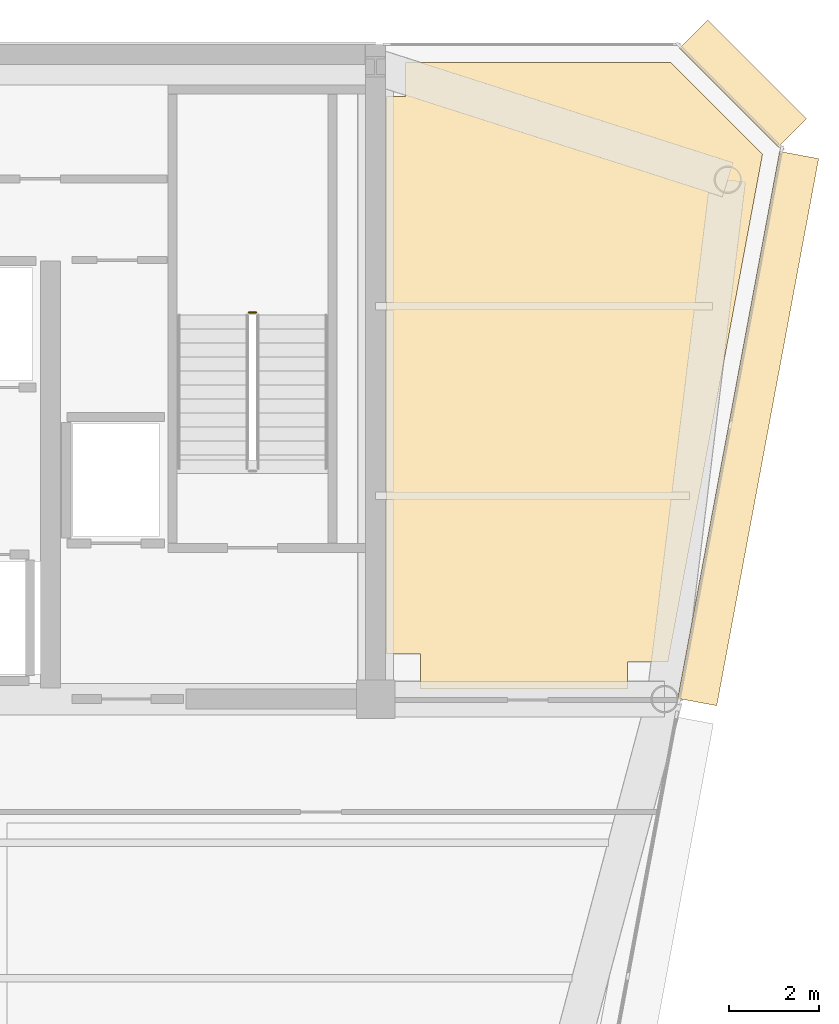
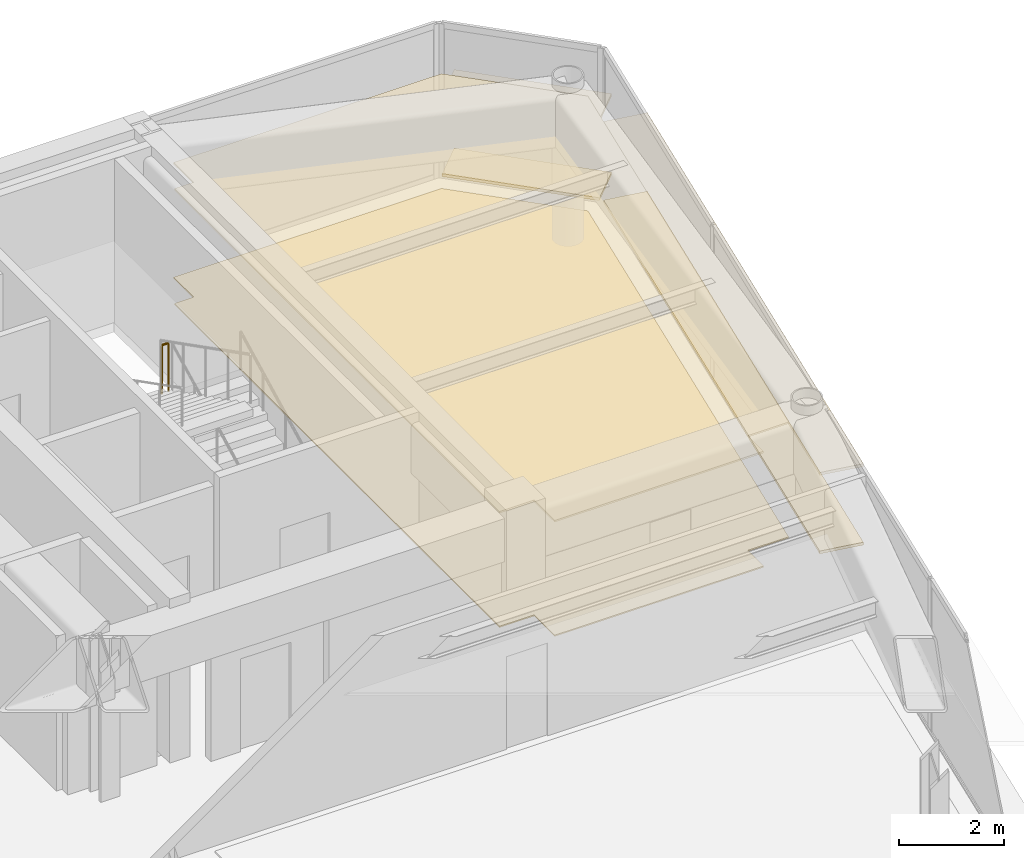
# One storey, part 18 of 18: 6 coverings, 1 railing.
"""IFC4 building model written with IfcOpenShell, lengths in metres."""

from ifc_helpers import new_model, si_unit, direction, frame, origin, origin_2d, place, context, subcontext, project, spatial, polyline, rectangle, circle, outline, extrude, source, transform, mapped, material, layer, layer_set, type_object, element, save


model = new_model("IFC4")

# Units and contexts
model_context = context("Model", 3, precision=1e-05, world=origin(), true_north=direction((0.0, 1.0)))
body_context = subcontext(model_context, "Body", "Model", "MODEL_VIEW")
ifc_project = project(units=[si_unit("LENGTHUNIT", "METRE"), si_unit("AREAUNIT", "SQUARE_METRE"), si_unit("VOLUMEUNIT", "CUBIC_METRE"), si_unit("PLANEANGLEUNIT", "RADIAN"), si_unit("MASSUNIT", "GRAM", prefix="KILO")], contexts=[model_context])

# Site, building, storey
site_placement = place(None, origin())
site = spatial("IfcSite", under=ifc_project, at=site_placement, CompositionType="ELEMENT")
building_placement = place(site_placement, origin())
building = spatial("IfcBuilding", under=site, at=building_placement, Name="Vaeldorn Concourse Tower", CompositionType="ELEMENT")
storey_placement = place(building_placement, frame((0.0, 0.0, 265.0)))
storey = spatial("IfcBuildingStorey", under=building, at=storey_placement, Name="L68", CompositionType="ELEMENT", Elevation=265.0)

# Coverings
ifc_material_1 = material(Name="Acoustic Mineral Fibre Board", Category="gypsum")
ifc_layer_1 = layer(ifc_material_1, 0.0400390625)
ifc_layer_set_1 = layer_set([ifc_layer_1], Name="Acoustic Mineral Fibre Board")
covering_type_1 = type_object("IfcCoveringType", Name="COV-CEIL-ACOUSTIC", PredefinedType="CEILING", material=ifc_layer_set_1)
covering_1_placement = place(storey_placement, frame((0.0, 0.0, 2.64990234375)))
element("IfcCovering", 1, at=covering_1_placement, inside=storey, type_object=covering_type_1, Name="Suspended Acoustic Ceiling L68-5", PredefinedType="CEILING", context=body_context, shape_type="SweptSolid", body=[
    extrude(outline(polyline([(54.659912109375, 49.840087890625), (54.659912109375, 50.60009765625), (60.5341796875, 50.60009765625), (62.568115234375, 48.566162109375), (60.47412109375, 37.320068359375), (59.580078125, 37.320068359375), (59.580078125, 36.719970703125), (55.0, 36.719970703125), (55.0, 37.5), (54.239990234375, 37.5), (54.239990234375, 49.840087890625), (54.659912109375, 49.840087890625)])), origin(), (0.0, 0.0, 1.0), 0.0400390625),
])
ifc_material_2 = material(Name="Honed Limestone Terrazzo Flooring", Category="masonry")
ifc_layer_2 = layer(ifc_material_2, 0.0400390625)
ifc_layer_set_2 = layer_set([ifc_layer_2], Name="Honed Limestone Terrazzo Flooring")
covering_type_2 = type_object("IfcCoveringType", Name="COV-FLOOR-STONE", PredefinedType="FLOORING", material=ifc_layer_set_2)
covering_2_placement = place(storey_placement, origin())
element("IfcCovering", 2, at=covering_2_placement, inside=storey, type_object=covering_type_2, Name="Floor Finish Covering L68-5", PredefinedType="FLOORING", context=body_context, shape_type="SweptSolid", body=[
    extrude(outline(polyline([(54.659912109375, 49.840087890625), (54.659912109375, 50.60009765625), (60.5341796875, 50.60009765625), (62.568115234375, 48.566162109375), (60.47412109375, 37.320068359375), (59.580078125, 37.320068359375), (59.580078125, 36.719970703125), (55.0, 36.719970703125), (55.0, 37.5), (54.239990234375, 37.5), (54.239990234375, 49.840087890625), (54.659912109375, 49.840087890625)])), origin(), (0.0, 0.0, 1.0), 0.030029296875),
])

# Railing
ifc_material_3 = material(Name="Anodised Bronze Aluminium", Category="aluminium")
railing_type = type_object("IfcRailingType", Name="RL-STAIR-GUARD", PredefinedType="GUARDRAIL", material=ifc_material_3)
railing_placement = place(storey_placement, frame((51.35009765625, 45.06005859375, 1.89990234375)))
element("IfcRailing", 3, at=railing_placement, inside=storey, type_object=railing_type, Name="L68 ST-2 stair guard 2", PredefinedType="GUARDRAIL", context=body_context, shape_type="SweptSolid", body=[
    extrude(circle(Radius=0.02392578125, at=origin_2d()), frame((0.0, 0.0, 1.1259765625), z_axis=(-1.0, 0.0, 0.0), x_axis=(0.0, -1.0, 0.0)), (0.0, 0.0, 1.0), 0.150146484375),
    extrude(circle(Radius=0.02099609375, at=origin_2d()), origin(), (0.0, 0.0, 1.0), 1.101806640625),
    extrude(circle(Radius=0.02099609375, at=origin_2d()), frame((-0.150146484375, 0.0, 0.0)), (0.0, 0.0, 1.0), 1.101806640625),
])

# Coverings
ifc_layer_3 = layer(ifc_material_3, 0.06494140625)
ifc_layer_set_3 = layer_set([ifc_layer_3], Name="Anodised Bronze Aluminium")
covering_type_3 = type_object("IfcCoveringType", Name="SD-BRONZE-SUNSHADE", PredefinedType="USERDEFINED", material=ifc_layer_set_3)
shared_shape_1 = source(origin(), body_context, "Body", "SweptSolid", [
    extrude(rectangle(XDim=3.0927734375, YDim=0.8798828125, at=origin_2d()), origin(), (0.0, 0.0, 1.0), 0.06494140625),
])
for number, where, z_axis, x_axis, name in (
    (4, (62.1328125, 50.1328125, 0.047607421875), (0.0, 0.0, 1.0), (-0.707106781187, 0.707106781187, 0.0), "Horizontal Bronze Sunshade L68-E08.1.1"),
    (5, (62.1328125, 50.1328125, 1.867431640625), (0.0, 0.0, 1.0), (-0.707106781187, 0.707106781187, 0.0), "Horizontal Bronze Sunshade L68-E08.1.2"),
):
    element("IfcCovering", number, at=place(storey_placement, frame(where, z_axis=z_axis, x_axis=x_axis)), inside=storey, type_object=covering_type_3, Name=name, ObjectType="SUNSHADE", PredefinedType="USERDEFINED", context=body_context, shape_type="MappedRepresentation", body=[
        mapped(shared_shape_1, transform((0.0, 0.0, 0.0), scale=1.0)),
    ])
shared_shape_2 = source(origin(), body_context, "Body", "SweptSolid", [
    extrude(rectangle(XDim=12.322509765625, YDim=0.8798828125, at=origin_2d()), origin(), (0.0, 0.0, 1.0), 0.06494140625),
])
for number, where, z_axis, x_axis, name in (
    (6, (62.250732421875, 42.490966796875, 0.047607421875), (0.0, 0.0, 1.0), (0.183059191151, 0.983101893262, 0.0), "Horizontal Bronze Sunshade L68-E07.2.1"),
    (7, (62.250732421875, 42.490966796875, 1.867431640625), (0.0, 0.0, 1.0), (0.183059191151, 0.983101893262, 0.0), "Horizontal Bronze Sunshade L68-E07.2.2"),
):
    element("IfcCovering", number, at=place(storey_placement, frame(where, z_axis=z_axis, x_axis=x_axis)), inside=storey, type_object=covering_type_3, Name=name, ObjectType="SUNSHADE", PredefinedType="USERDEFINED", context=body_context, shape_type="MappedRepresentation", body=[
        mapped(shared_shape_2, transform((0.0, 0.0, 0.0), scale=1.0)),
    ])

save(model, "model.ifc")
